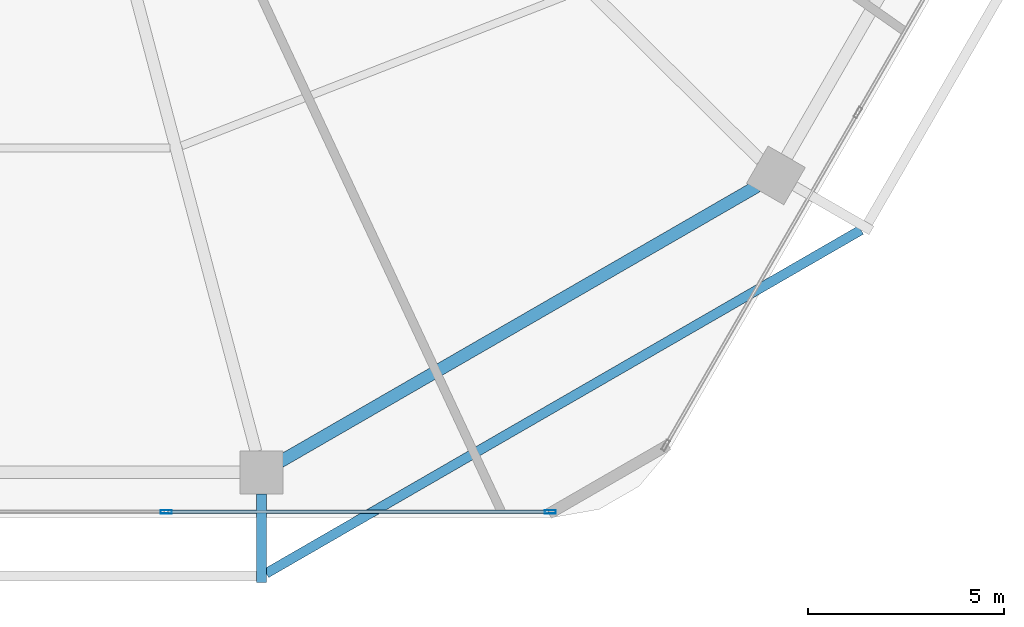
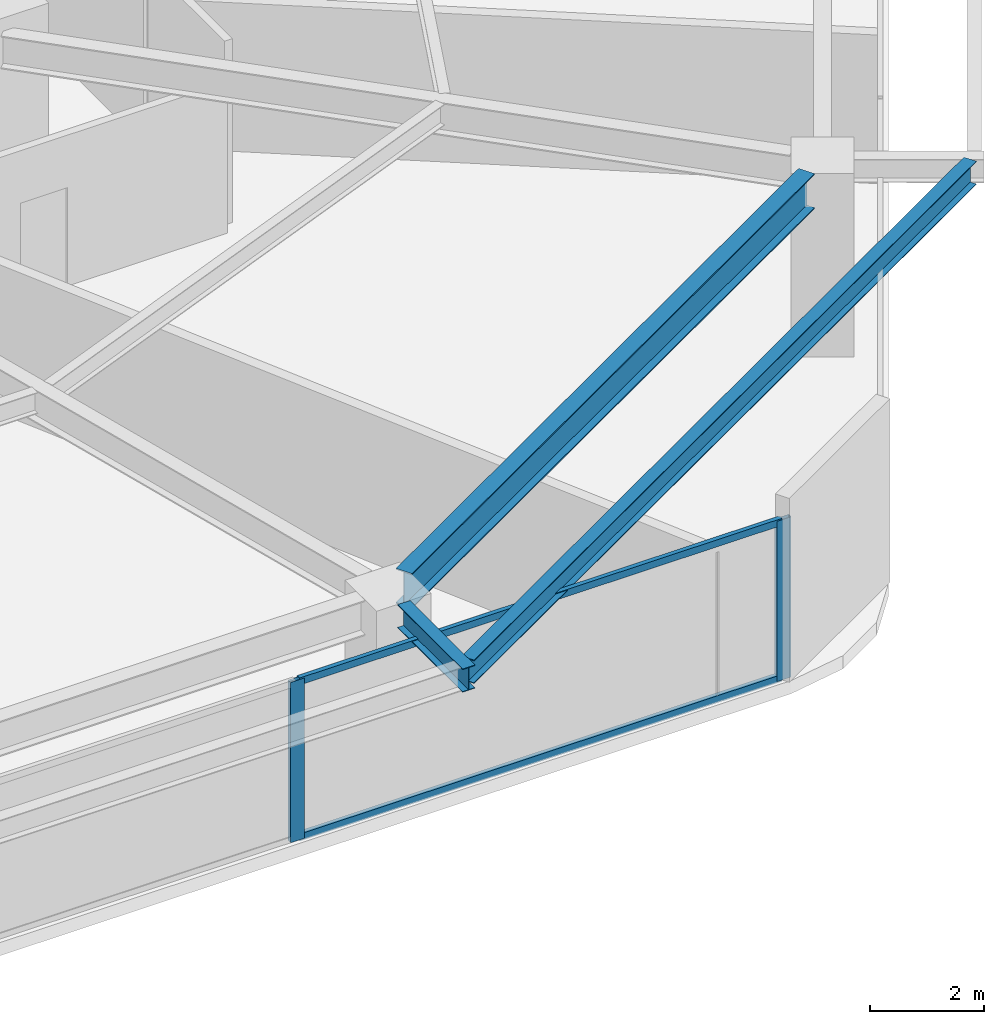
# One storey, part 7 of 28: 4 members, 3 beams, 1 element without a shape of its own.
"""IFC4 building model written with IfcOpenShell, lengths in metres."""

from ifc_helpers import new_model, si_unit, direction, frame, origin, origin_2d, place, context, subcontext, project, spatial, hollow_rectangle, i_section, extrude, material, material_profile, profile_set, type_object, element, aggregate, save


model = new_model("IFC4")

# Units and contexts
model_context = context("Model", 3, precision=1e-05, world=origin(), true_north=direction((0.0, 1.0)))
body_context = subcontext(model_context, "Body", "Model", "MODEL_VIEW")
ifc_project = project(units=[si_unit("LENGTHUNIT", "METRE"), si_unit("AREAUNIT", "SQUARE_METRE"), si_unit("VOLUMEUNIT", "CUBIC_METRE"), si_unit("PLANEANGLEUNIT", "RADIAN"), si_unit("MASSUNIT", "GRAM", prefix="KILO")], contexts=[model_context])

# Site, building, storey
site_placement = place(None, origin())
site = spatial("IfcSite", under=ifc_project, at=site_placement, CompositionType="ELEMENT")
building_placement = place(site_placement, origin())
building = spatial("IfcBuilding", under=site, at=building_placement, Name="Zuhravey Tower", CompositionType="ELEMENT")
storey_placement = place(building_placement, frame((0.0, 0.0, 79.199951171875)))
storey = spatial("IfcBuildingStorey", under=building, at=storey_placement, Name="L19", CompositionType="ELEMENT", Elevation=79.199951171875)

# Curtain wall, members
ifc_material_1 = material(Name="Thermally broken anodised aluminium", Category="aluminium")
curtain_wall_type = type_object("IfcCurtainWallType", Name="School Low-E Unitised Curtain Wall CW1", PredefinedType="NOTDEFINED", material=ifc_material_1)
curtain_wall_placement = place(storey_placement, origin())
curtain_wall = element("IfcCurtainWall", 1, at=curtain_wall_placement, inside=storey, type_object=curtain_wall_type, Name="L19 CW1 CW-L19-F5-1", PredefinedType="NOTDEFINED")
ifc_material_2 = material(Name="Anodised aluminium", Category="aluminium")
ifc_material_profile_1 = material_profile(ifc_material_2, hollow_rectangle(XDim=0.090087890625, YDim=0.284912109375, WallThickness=0.0048828125, at=origin_2d()), Name="ALU-RHS-90x285x5")
ifc_profile_set_1 = profile_set([ifc_material_profile_1], Name="Anodised aluminium")
member_type_1 = type_object("IfcMemberType", Name="Curtain-Wall Mullion 90x180", PredefinedType="MULLION", material=ifc_profile_set_1)
member_1_placement = place(storey_placement, frame((50.75439453125, 3.04150390625, 0.0), z_axis=(0.0, 0.0, 1.0), x_axis=(0.0, -1.0, 0.0)))
member_1 = element("IfcMember", 2, at=member_1_placement, type_object=member_type_1, Name="CW1 mullion 1", PredefinedType="MULLION", context=body_context, shape_type="SweptSolid", body=[
    extrude(hollow_rectangle(XDim=0.090087890625, YDim=0.284912109375, WallThickness=0.0048828125, at=origin_2d()), origin(), (0.0, 0.0, 1.0), 3.420166015625),
])
member_2_placement = place(storey_placement, frame((40.93310546875, 3.04150390625, 0.0), z_axis=(0.0, 0.0, 1.0), x_axis=(0.0, -1.0, 0.0)))
member_2 = element("IfcMember", 3, at=member_2_placement, type_object=member_type_1, Name="CW1 mullion 2", PredefinedType="MULLION", context=body_context, shape_type="SweptSolid", body=[
    extrude(hollow_rectangle(XDim=0.090087890625, YDim=0.284912109375, WallThickness=0.0048828125, at=origin_2d()), origin(), (0.0, 0.0, 1.0), 3.420166015625),
])
ifc_material_profile_2 = material_profile(ifc_material_2, hollow_rectangle(XDim=0.090087890625, YDim=0.14990234375, WallThickness=0.0048828125, at=origin_2d()), Name="ALU-RHS-90x150x5")
ifc_profile_set_2 = profile_set([ifc_material_profile_2], Name="Anodised aluminium")
member_type_2 = type_object("IfcMemberType", Name="Curtain-Wall Transom 90x150", PredefinedType="USERDEFINED", material=ifc_profile_set_2)
member_3_placement = place(storey_placement, frame((50.70947265625, 3.04150390625, 0.045166015625), z_axis=(-1.0, 0.0, 0.0), x_axis=(0.0, -1.0, 0.0)))
member_3 = element("IfcMember", 4, at=member_3_placement, type_object=member_type_2, Name="CW1 transom 1.1", ObjectType="TRANSOM", PredefinedType="USERDEFINED", context=body_context, shape_type="SweptSolid", body=[
    extrude(hollow_rectangle(XDim=0.090087890625, YDim=0.14990234375, WallThickness=0.0048828125, at=origin_2d()), origin(), (0.0, 0.0, 1.0), 9.731201171875),
])
member_4_placement = place(storey_placement, frame((50.70947265625, 3.04150390625, 3.375), z_axis=(-1.0, 0.0, 0.0), x_axis=(0.0, -1.0, 0.0)))
member_4 = element("IfcMember", 5, at=member_4_placement, type_object=member_type_2, Name="CW1 transom 1.2", ObjectType="TRANSOM", PredefinedType="USERDEFINED", context=body_context, shape_type="SweptSolid", body=[
    extrude(hollow_rectangle(XDim=0.090087890625, YDim=0.14990234375, WallThickness=0.0048828125, at=origin_2d()), origin(), (0.0, 0.0, 1.0), 9.731201171875),
])
aggregate(curtain_wall, [member_1, member_2, member_3, member_4])

# Beams
ifc_material_3 = material(Name="Steel SM355", Category="steel")
ifc_material_profile_3 = material_profile(ifc_material_3, i_section(OverallWidth=0.320068359375, OverallDepth=0.75, WebThickness=0.013916015625, FlangeThickness=0.02490234375, at=origin_2d()), Name="H-750x320x14x25")
ifc_profile_set_3 = profile_set([ifc_material_profile_3], Name="Steel SM355")
beam_type_1 = type_object("IfcBeamType", Name="Perimeter Ring Beam H750x320", PredefinedType="BEAM", material=ifc_profile_set_3)
beam_1_placement = place(storey_placement, frame((43.848876953125, 4.327880859375, 3.545166015625), z_axis=(0.866017786538, 0.500013193225, 0.0), x_axis=(-0.500013193225, 0.866017786538, 0.0)))
element("IfcBeam", 6, at=beam_1_placement, inside=storey, type_object=beam_type_1, Name="L19 PB1 BM-L19-PB-10", PredefinedType="BEAM", context=body_context, shape_type="SweptSolid", body=[
    extrude(i_section(OverallWidth=0.320068359375, OverallDepth=0.75, WebThickness=0.013916015625, FlangeThickness=0.02490234375, at=origin_2d()), origin(), (0.0, 0.0, 1.0), 14.0771484375),
])
ifc_material_profile_4 = material_profile(ifc_material_3, i_section(OverallWidth=0.25, OverallDepth=0.5, WebThickness=0.010009765625, FlangeThickness=0.01611328125, at=origin_2d()), Name="H-500x250x10x16")
ifc_profile_set_4 = profile_set([ifc_material_profile_4], Name="Steel SM355")
beam_type_2 = type_object("IfcBeamType", Name="Tray Cantilever Spandrel H500x250", PredefinedType="SPANDREL", material=ifc_profile_set_4)
beam_2_placement = place(storey_placement, frame((43.3701171875, 3.49755859375, 3.670166015625), z_axis=(0.0, -1.0, 0.0), x_axis=(1.0, 0.0, 0.0)))
element("IfcBeam", 7, at=beam_2_placement, inside=storey, type_object=beam_type_2, Name="L19 Sky-Tray Cantilever Arm TSB1-R10", PredefinedType="SPANDREL", context=body_context, shape_type="SweptSolid", body=[
    extrude(i_section(OverallWidth=0.25, OverallDepth=0.5, WebThickness=0.010009765625, FlangeThickness=0.01611328125, at=origin_2d()), origin(), (0.0, 0.0, 1.0), 2.26611328125),
])
beam_3_placement = place(storey_placement, frame((43.4912109375, 1.471435546875, 3.670166015625), z_axis=(0.866027161532, 0.49999695548, 0.0), x_axis=(-0.49999695548, 0.866027161532, 0.0)))
element("IfcBeam", 8, at=beam_3_placement, inside=storey, type_object=beam_type_2, Name="L19 Sky-Tray Edge Spandrel TSB1-10", PredefinedType="SPANDREL", context=body_context, shape_type="SweptSolid", body=[
    extrude(i_section(OverallWidth=0.25, OverallDepth=0.5, WebThickness=0.010009765625, FlangeThickness=0.01611328125, at=origin_2d()), origin(), (0.0, 0.0, 1.0), 17.55322265625),
])

save(model, "model.ifc")
